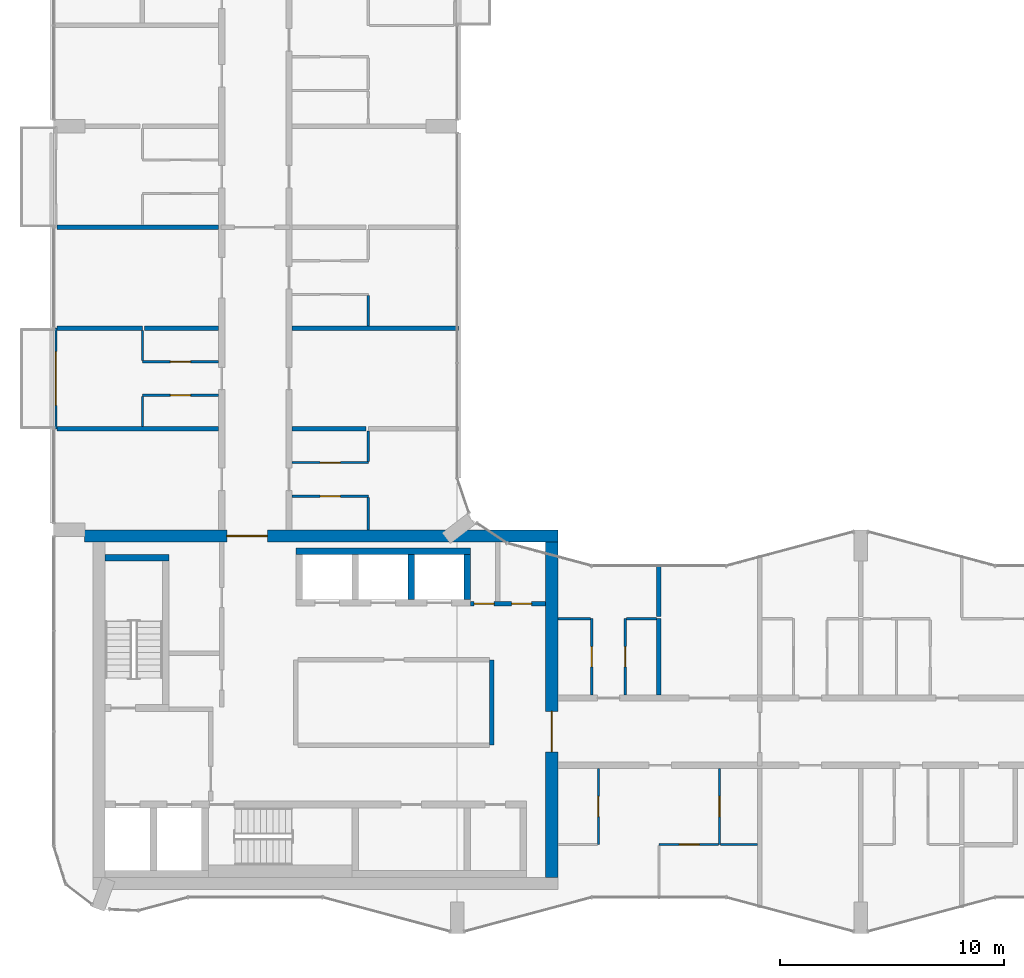
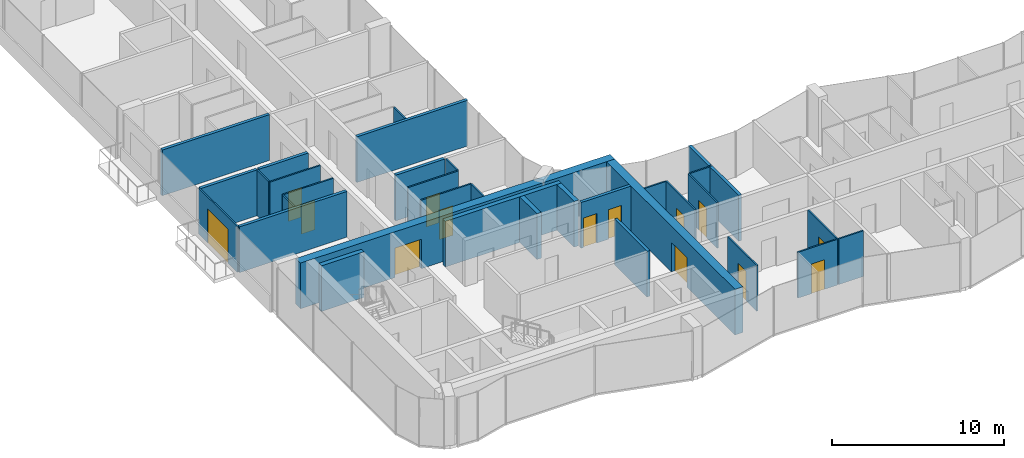
# One storey, part 10 of 16: 34 walls, 14 doors, 14 openings.
"""IFC4 building model written with IfcOpenShell, lengths in metres."""

from ifc_helpers import new_model, si_unit, direction, frame, frame_2d, origin, place, context, subcontext, project, spatial, rectangle, extrude, material, layer, layer_set, type_object, element, fill, save


model = new_model("IFC4")

# Units and contexts
model_context = context("Model", 3, precision=1e-05, world=origin(), true_north=direction((0.0, 1.0)))
body_context = subcontext(model_context, "Body", "Model", "MODEL_VIEW")
ifc_project = project(units=[si_unit("LENGTHUNIT", "METRE"), si_unit("AREAUNIT", "SQUARE_METRE"), si_unit("VOLUMEUNIT", "CUBIC_METRE"), si_unit("PLANEANGLEUNIT", "RADIAN"), si_unit("MASSUNIT", "GRAM", prefix="KILO")], contexts=[model_context])

# Site, building, storey
site_placement = place(None, origin())
site = spatial("IfcSite", under=ifc_project, at=site_placement, CompositionType="ELEMENT")
building_placement = place(site_placement, origin())
building = spatial("IfcBuilding", under=site, at=building_placement, Name="Plateau Cross Towers", CompositionType="ELEMENT")
storey_placement = place(building_placement, frame((0.0, 0.0, 211.89990234375)))
storey = spatial("IfcBuildingStorey", under=building, at=storey_placement, Name="L55", CompositionType="ELEMENT", Elevation=211.89990234375)

# Wall, opening, door
ifc_material_1 = material(Name="Aluminium framed glazing", Category="aluminium")
ifc_layer_1 = layer(ifc_material_1, 0.10009765625)
ifc_layer_set_1 = layer_set([ifc_layer_1], Name="Aluminium framed glazing")
wall_type_1 = type_object("IfcWallType", Name="Balcony screen wall 100", PredefinedType="STANDARD", material=ifc_layer_set_1)
wall_1_placement = place(storey_placement, frame((0.10009765625, 22.5, 0.0), z_axis=(0.0, 0.0, 1.0), x_axis=(0.0, 1.0, 0.0)))
wall_1 = element("IfcWall", 1, at=wall_1_placement, inside=storey, type_object=wall_type_1, Name="Balcony screen wall A-BAL-L55-01", PredefinedType="STANDARD", context=body_context, shape_type="SweptSolid", body=[
    extrude(rectangle(XDim=4.5, YDim=0.10009765625, at=frame_2d((2.25, 0.0))), origin(), (0.0, 0.0, 1.0), 3.25),
])
opening_1_placement = place(wall_1_placement, frame((1.050048828125, 0.0, 0.0)))
opening_1 = element("IfcOpeningElement", 2, at=opening_1_placement, cuts=wall_1, Name="Opening D-B24", PredefinedType="OPENING", context=body_context, shape_type="SweptSolid", body=[
    extrude(rectangle(XDim=2.39990234375, YDim=2.39990234375, at=frame_2d((1.199951171875, 1.199951171875))), frame((0.0, 0.06005859375, 0.0), z_axis=(0.0, -1.0, 0.0), x_axis=(1.0, 0.0, 0.0)), (0.0, 0.0, 1.0), 0.1201171875),
])
ifc_material_2 = material(Name="Aluminium frame, double glazing", Category="aluminium")
door_type_1 = type_object("IfcDoorType", Name="Balcony sliding door 2400", OperationType="NOTDEFINED", PredefinedType="DOOR", material=ifc_material_2)
door_1_placement = place(opening_1_placement, origin())
door_1 = element("IfcDoor", 3, at=door_1_placement, inside=storey, type_object=door_type_1, Name="Balcony door A-BAL-L55-01", OperationType="SINGLE_SWING_LEFT", OverallHeight=2.39990234375, OverallWidth=2.39990234375, PredefinedType="DOOR", context=body_context, shape_type="SweptSolid", body=[
    extrude(rectangle(XDim=2.39990234375, YDim=2.39990234375, at=frame_2d((1.199951171875, 1.199951171875))), frame((0.0, 0.02490234375, 0.0), z_axis=(0.0, -1.0, 0.0), x_axis=(1.0, 0.0, 0.0)), (0.0, 0.0, 1.0), 0.050048828125),
])
fill(opening_1, door_1)

# Wall
ifc_material_3 = material(Name="Concrete block, plastered both sides", Category="concrete")
ifc_layer_2 = layer(ifc_material_3, 0.199951171875)
ifc_layer_set_2 = layer_set([ifc_layer_2], Name="Concrete block, plastered both sides")
wall_type_2 = type_object("IfcWallType", Name="Core partition 200", PredefinedType="PARTITIONING", material=ifc_layer_set_2)
wall_2_placement = place(storey_placement, frame((19.550048828125, 8.39990234375, 0.0), z_axis=(0.0, 0.0, 1.0), x_axis=(0.0, 1.0, 0.0)))
element("IfcWall", 4, at=wall_2_placement, inside=storey, type_object=wall_type_2, Name="Core partition", PredefinedType="PARTITIONING", context=body_context, shape_type="SweptSolid", body=[
    extrude(rectangle(XDim=3.800048828125, YDim=0.199951171875, at=frame_2d((1.89990234375, 0.0))), origin(), (0.0, 0.0, 1.0), 3.25),
])

# Wall, openings, doors
wall_3_placement = place(storey_placement, frame((18.60009765625, 14.699951171875, 0.0), z_axis=(0.0, 0.0, 1.0), x_axis=(1.0, 0.0, 0.0)))
wall_3 = element("IfcWall", 5, at=wall_3_placement, inside=storey, type_object=wall_type_2, Name="Core partition", PredefinedType="PARTITIONING", context=body_context, shape_type="SweptSolid", body=[
    extrude(rectangle(XDim=3.349853515625, YDim=0.199951171875, at=frame_2d((1.6748046875, 0.0))), origin(), (0.0, 0.0, 1.0), 3.25),
])
opening_2_placement = place(wall_3_placement, frame((0.14990234375, 0.0, 0.0)))
opening_2 = element("IfcOpeningElement", 6, at=opening_2_placement, cuts=wall_3, Name="Opening RD2", PredefinedType="OPENING", context=body_context, shape_type="SweptSolid", body=[
    extrude(rectangle(XDim=0.89990234375, YDim=2.10009765625, at=frame_2d((0.449951171875, 1.050048828125))), frame((0.0, 0.10986328125, 0.0), z_axis=(0.0, -1.0, 0.0), x_axis=(1.0, 0.0, 0.0)), (0.0, 0.0, 1.0), 0.219970703125),
])
opening_3_placement = place(wall_3_placement, frame((1.824951171875, 0.0, 0.0)))
opening_3 = element("IfcOpeningElement", 7, at=opening_3_placement, cuts=wall_3, Name="Opening RD2", PredefinedType="OPENING", context=body_context, shape_type="SweptSolid", body=[
    extrude(rectangle(XDim=0.89990234375, YDim=2.10009765625, at=frame_2d((0.449951171875, 1.050048828125))), frame((0.0, 0.10986328125, 0.0), z_axis=(0.0, -1.0, 0.0), x_axis=(1.0, 0.0, 0.0)), (0.0, 0.0, 1.0), 0.219970703125),
])
ifc_material_4 = material(Name="Steel, fire-resisting leaf", Category="steel")
door_type_2 = type_object("IfcDoorType", Name="Core riser door 900", OperationType="NOTDEFINED", PredefinedType="DOOR", material=ifc_material_4)
door_2_placement = place(opening_2_placement, origin())
door_2 = element("IfcDoor", 8, at=door_2_placement, inside=storey, type_object=door_type_2, Name="Core riser door RD2", OperationType="SINGLE_SWING_LEFT", OverallHeight=2.10009765625, OverallWidth=0.89990234375, PredefinedType="DOOR", context=body_context, shape_type="SweptSolid", body=[
    extrude(rectangle(XDim=0.89990234375, YDim=2.10009765625, at=frame_2d((0.449951171875, 1.050048828125))), frame((0.0, 0.02490234375, 0.0), z_axis=(0.0, -1.0, 0.0), x_axis=(1.0, 0.0, 0.0)), (0.0, 0.0, 1.0), 0.050048828125),
])
fill(opening_2, door_2)
door_3_placement = place(opening_3_placement, origin())
door_3 = element("IfcDoor", 9, at=door_3_placement, inside=storey, type_object=door_type_2, Name="Core riser door RD2", OperationType="SINGLE_SWING_LEFT", OverallHeight=2.10009765625, OverallWidth=0.89990234375, PredefinedType="DOOR", context=body_context, shape_type="SweptSolid", body=[
    extrude(rectangle(XDim=0.89990234375, YDim=2.10009765625, at=frame_2d((0.449951171875, 1.050048828125))), frame((0.0, 0.02490234375, 0.0), z_axis=(0.0, -1.0, 0.0), x_axis=(1.0, 0.0, 0.0)), (0.0, 0.0, 1.0), 0.050048828125),
])
fill(opening_3, door_3)

# Walls
ifc_material_5 = material(Name="Concrete C60/75", Category="concrete")
ifc_layer_3 = layer(ifc_material_5, 0.300048828125)
ifc_layer_set_3 = layer_set([ifc_layer_3], Name="Concrete C60/75")
wall_type_3 = type_object("IfcWallType", Name="Core shaft wall 300", PredefinedType="SHEAR", material=ifc_layer_set_3)
wall_4_placement = place(storey_placement, frame((2.300048828125, 16.75, 0.0), z_axis=(0.0, 0.0, 1.0), x_axis=(1.0, 0.0, 0.0)))
element("IfcWall", 10, at=wall_4_placement, inside=storey, type_object=wall_type_3, Name="A-st1-N@L55", PredefinedType="SHEAR", context=body_context, shape_type="SweptSolid", body=[
    extrude(rectangle(XDim=2.849853515625, YDim=0.300048828125, at=frame_2d((1.4248046875, 0.0))), origin(), (0.0, 0.0, 1.0), 3.25),
])
wall_5_placement = place(storey_placement, frame((10.800048828125, 17.050048828125, 0.0), z_axis=(0.0, 0.0, 1.0), x_axis=(1.0, 0.0, 0.0)))
element("IfcWall", 11, at=wall_5_placement, inside=storey, type_object=wall_type_3, Name="A-nb-back@L55", PredefinedType="SHEAR", context=body_context, shape_type="SweptSolid", body=[
    extrude(rectangle(XDim=7.800048828125, YDim=0.300048828125, at=frame_2d((3.89990234375, 0.0))), origin(), (0.0, 0.0, 1.0), 3.25),
])
for number, where, z_axis, x_axis, name in (
    (12, (15.949951171875, 14.89990234375, 0.0), (0.0, 0.0, 1.0), (0.0, 1.0, 0.0), "A-nb-v3@L55"),
    (13, (18.449951171875, 14.89990234375, 0.0), (0.0, 0.0, 1.0), (0.0, 1.0, 0.0), "A-nb-v4@L55"),
):
    element("IfcWall", number, at=place(storey_placement, frame(where, z_axis=z_axis, x_axis=x_axis)), inside=storey, type_object=wall_type_3, Name=name, PredefinedType="SHEAR", context=body_context, shape_type="SweptSolid", body=[
        extrude(rectangle(XDim=2.0, YDim=0.300048828125, at=frame_2d((1.0, 0.0))), origin(), (0.0, 0.0, 1.0), 3.25),
    ])

# Wall, opening, door
ifc_layer_4 = layer(ifc_material_5, 0.550048828125)
ifc_layer_set_4 = layer_set([ifc_layer_4], Name="Concrete C60/75")
wall_type_4 = type_object("IfcWallType", Name="Core shell wall 550", PredefinedType="SHEAR", material=ifc_layer_set_4)
wall_6_placement = place(storey_placement, frame((1.3798828125, 17.72509765625, 0.0), z_axis=(0.0, 0.0, 1.0), x_axis=(1.0, 0.0, 0.0)))
wall_6 = element("IfcWall", 14, at=wall_6_placement, inside=storey, type_object=wall_type_4, Name="A-core-N@L55", PredefinedType="SHEAR", context=body_context, shape_type="SweptSolid", body=[
    extrude(rectangle(XDim=21.1201171875, YDim=0.550048828125, at=frame_2d((10.56005859375, 0.0))), origin(), (0.0, 0.0, 1.0), 3.25),
])
opening_4_placement = place(wall_6_placement, frame((6.35009765625, 0.0, 0.0)))
opening_4 = element("IfcOpeningElement", 15, at=opening_4_placement, cuts=wall_6, Name="Opening CD", PredefinedType="OPENING", context=body_context, shape_type="SweptSolid", body=[
    extrude(rectangle(XDim=1.800048828125, YDim=2.10009765625, at=frame_2d((0.89990234375, 1.050048828125))), frame((0.0, 0.284912109375, 0.0), z_axis=(0.0, -1.0, 0.0), x_axis=(1.0, 0.0, 0.0)), (0.0, 0.0, 1.0), 0.570068359375),
])
ifc_material_6 = material(Name="Steel, fire-resisting leaves", Category="steel")
door_type_3 = type_object("IfcDoorType", Name="Corridor door pair 1800", OperationType="NOTDEFINED", PredefinedType="DOOR", material=ifc_material_6)
door_4_placement = place(opening_4_placement, origin())
door_4 = element("IfcDoor", 16, at=door_4_placement, inside=storey, type_object=door_type_3, Name="Corridor door pair CD", OperationType="DOUBLE_DOOR_SINGLE_SWING", OverallHeight=2.10009765625, OverallWidth=1.800048828125, PredefinedType="DOOR", context=body_context, shape_type="SweptSolid", body=[
    extrude(rectangle(XDim=1.800048828125, YDim=2.10009765625, at=frame_2d((0.89990234375, 1.050048828125))), frame((0.0, 0.02490234375, 0.0), z_axis=(0.0, -1.0, 0.0), x_axis=(1.0, 0.0, 0.0)), (0.0, 0.0, 1.0), 0.050048828125),
])
fill(opening_4, door_4)

wall_7_placement = place(storey_placement, frame((22.22509765625, 2.5, 0.0), z_axis=(0.0, 0.0, 1.0), x_axis=(0.0, 1.0, 0.0)))
wall_7 = element("IfcWall", 17, at=wall_7_placement, inside=storey, type_object=wall_type_4, Name="A-core-E@L55", PredefinedType="SHEAR", context=body_context, shape_type="SweptSolid", body=[
    extrude(rectangle(XDim=14.949951171875, YDim=0.550048828125, at=frame_2d((7.47509765625, 0.0))), origin(), (0.0, 0.0, 1.0), 3.25),
])
opening_5_placement = place(wall_7_placement, frame((5.60009765625, 0.0, 0.0)))
opening_5 = element("IfcOpeningElement", 18, at=opening_5_placement, cuts=wall_7, Name="Opening CD", PredefinedType="OPENING", context=body_context, shape_type="SweptSolid", body=[
    extrude(rectangle(XDim=1.800048828125, YDim=2.10009765625, at=frame_2d((0.89990234375, 1.050048828125))), frame((0.0, 0.284912109375, 0.0), z_axis=(0.0, -1.0, 0.0), x_axis=(1.0, 0.0, 0.0)), (0.0, 0.0, 1.0), 0.570068359375),
])
door_5_placement = place(opening_5_placement, origin())
door_5 = element("IfcDoor", 19, at=door_5_placement, inside=storey, type_object=door_type_3, Name="Corridor door pair CD", OperationType="DOUBLE_DOOR_SINGLE_SWING", OverallHeight=2.10009765625, OverallWidth=1.800048828125, PredefinedType="DOOR", context=body_context, shape_type="SweptSolid", body=[
    extrude(rectangle(XDim=1.800048828125, YDim=2.10009765625, at=frame_2d((0.89990234375, 1.050048828125))), frame((0.0, 0.02490234375, 0.0), z_axis=(0.0, -1.0, 0.0), x_axis=(1.0, 0.0, 0.0)), (0.0, 0.0, 1.0), 0.050048828125),
])
fill(opening_5, door_5)

ifc_material_7 = material(Name="Gypsum board on steel studs", Category="steel")
ifc_layer_5 = layer(ifc_material_7, 0.10009765625)
ifc_layer_set_5 = layer_set([ifc_layer_5], Name="Gypsum board on steel studs")
wall_type_5 = type_object("IfcWallType", Name="Flat partition 100", PredefinedType="PARTITIONING", material=ifc_layer_set_5)
wall_8_placement = place(storey_placement, frame((29.64990234375, 3.96240234375, 0.0), z_axis=(0.0, 0.0, 1.0), x_axis=(-1.0, 0.0, 0.0)))
wall_8 = element("IfcWall", 20, at=wall_8_placement, inside=storey, type_object=wall_type_5, Name="Partition wall", PredefinedType="PARTITIONING", context=body_context, shape_type="SweptSolid", body=[
    extrude(rectangle(XDim=2.64990234375, YDim=0.10009765625, at=frame_2d((1.324951171875, 0.0))), origin(), (0.0, 0.0, 1.0), 3.25),
])
opening_6_placement = place(wall_8_placement, frame((0.85009765625, 0.0, 0.0)))
opening_6 = element("IfcOpeningElement", 21, at=opening_6_placement, cuts=wall_8, Name="Opening 55-28", PredefinedType="OPENING", context=body_context, shape_type="SweptSolid", body=[
    extrude(rectangle(XDim=0.89990234375, YDim=2.10009765625, at=frame_2d((0.449951171875, 1.050048828125))), frame((0.0, 0.06005859375, 0.0), z_axis=(0.0, -1.0, 0.0), x_axis=(1.0, 0.0, 0.0)), (0.0, 0.0, 1.0), 0.1201171875),
])
ifc_material_8 = material(Name="Timber leaf", Category="wood")
door_type_4 = type_object("IfcDoorType", Name="Flat room door 900", OperationType="NOTDEFINED", PredefinedType="DOOR", material=ifc_material_8)
door_6_placement = place(opening_6_placement, origin())
door_6 = element("IfcDoor", 22, at=door_6_placement, inside=storey, type_object=door_type_4, Name="Door 55-28", OperationType="SINGLE_SWING_LEFT", OverallHeight=2.10009765625, OverallWidth=0.89990234375, PredefinedType="DOOR", context=body_context, shape_type="SweptSolid", body=[
    extrude(rectangle(XDim=0.89990234375, YDim=2.10009765625, at=frame_2d((0.449951171875, 1.050048828125))), frame((0.0, 0.02490234375, 0.0), z_axis=(0.0, -1.0, 0.0), x_axis=(1.0, 0.0, 0.0)), (0.0, 0.0, 1.0), 0.050048828125),
])
fill(opening_6, door_6)

# Walls
wall_9_placement = place(storey_placement, frame((29.75, 3.96240234375, 0.0), z_axis=(0.0, 0.0, 1.0), x_axis=(1.0, 0.0, 0.0)))
element("IfcWall", 23, at=wall_9_placement, inside=storey, type_object=wall_type_5, Name="Partition wall", PredefinedType="PARTITIONING", context=body_context, shape_type="SweptSolid", body=[
    extrude(rectangle(XDim=1.64990234375, YDim=0.10009765625, at=frame_2d((0.824951171875, 0.0))), origin(), (0.0, 0.0, 1.0), 3.25),
])
wall_10_placement = place(storey_placement, frame((23.949951171875, 14.03759765625, 0.0), z_axis=(0.0, 0.0, 1.0), x_axis=(-1.0, 0.0, 0.0)))
element("IfcWall", 24, at=wall_10_placement, inside=storey, type_object=wall_type_5, Name="Partition wall", PredefinedType="PARTITIONING", context=body_context, shape_type="SweptSolid", body=[
    extrude(rectangle(XDim=1.449951171875, YDim=0.10009765625, at=frame_2d((0.72509765625, 0.0))), origin(), (0.0, 0.0, 1.0), 3.25),
])
wall_11_placement = place(storey_placement, frame((26.89990234375, 14.03759765625, 0.0), z_axis=(0.0, 0.0, 1.0), x_axis=(-1.0, 0.0, 0.0)))
element("IfcWall", 25, at=wall_11_placement, inside=storey, type_object=wall_type_5, Name="Partition wall", PredefinedType="PARTITIONING", context=body_context, shape_type="SweptSolid", body=[
    extrude(rectangle(XDim=1.349853515625, YDim=0.10009765625, at=frame_2d((0.6748046875, 0.0))), origin(), (0.0, 0.0, 1.0), 3.25),
])

# Wall, opening, door
wall_12_placement = place(storey_placement, frame((14.03759765625, 19.5, 0.0), z_axis=(0.0, 0.0, 1.0), x_axis=(-1.0, 0.0, 0.0)))
wall_12 = element("IfcWall", 26, at=wall_12_placement, inside=storey, type_object=wall_type_5, Name="Partition wall", PredefinedType="PARTITIONING", context=body_context, shape_type="SweptSolid", body=[
    extrude(rectangle(XDim=3.400146484375, YDim=0.10009765625, at=frame_2d((1.7001953125, 0.0))), origin(), (0.0, 0.0, 1.0), 3.25),
])
opening_7_placement = place(wall_12_placement, frame((1.25, 0.0, 0.0)))
opening_7 = element("IfcOpeningElement", 27, at=opening_7_placement, cuts=wall_12, Name="Opening 55-44", PredefinedType="OPENING", context=body_context, shape_type="SweptSolid", body=[
    extrude(rectangle(XDim=0.89990234375, YDim=2.10009765625, at=frame_2d((0.449951171875, 1.050048828125))), frame((0.0, 0.06005859375, 0.0), z_axis=(0.0, -1.0, 0.0), x_axis=(1.0, 0.0, 0.0)), (0.0, 0.0, 1.0), 0.1201171875),
])
door_7_placement = place(opening_7_placement, origin())
door_7 = element("IfcDoor", 28, at=door_7_placement, inside=storey, type_object=door_type_4, Name="Door 55-44", OperationType="SINGLE_SWING_LEFT", OverallHeight=2.10009765625, OverallWidth=0.89990234375, PredefinedType="DOOR", context=body_context, shape_type="SweptSolid", body=[
    extrude(rectangle(XDim=0.89990234375, YDim=2.10009765625, at=frame_2d((0.449951171875, 1.050048828125))), frame((0.0, 0.02490234375, 0.0), z_axis=(0.0, -1.0, 0.0), x_axis=(1.0, 0.0, 0.0)), (0.0, 0.0, 1.0), 0.050048828125),
])
fill(opening_7, door_7)

wall_13_placement = place(storey_placement, frame((10.637451171875, 21.0, 0.0), z_axis=(0.0, 0.0, 1.0), x_axis=(1.0, 0.0, 0.0)))
wall_13 = element("IfcWall", 29, at=wall_13_placement, inside=storey, type_object=wall_type_5, Name="Partition wall", PredefinedType="PARTITIONING", context=body_context, shape_type="SweptSolid", body=[
    extrude(rectangle(XDim=3.400146484375, YDim=0.10009765625, at=frame_2d((1.7001953125, 0.0))), origin(), (0.0, 0.0, 1.0), 3.25),
])
opening_8_placement = place(wall_13_placement, frame((1.25, 0.0, 0.0)))
opening_8 = element("IfcOpeningElement", 30, at=opening_8_placement, cuts=wall_13, Name="Opening 55-45", PredefinedType="OPENING", context=body_context, shape_type="SweptSolid", body=[
    extrude(rectangle(XDim=0.89990234375, YDim=2.10009765625, at=frame_2d((0.449951171875, 1.050048828125))), frame((0.0, 0.06005859375, 0.0), z_axis=(0.0, -1.0, 0.0), x_axis=(1.0, 0.0, 0.0)), (0.0, 0.0, 1.0), 0.1201171875),
])
door_8_placement = place(opening_8_placement, origin())
door_8 = element("IfcDoor", 31, at=door_8_placement, inside=storey, type_object=door_type_4, Name="Door 55-45", OperationType="SINGLE_SWING_LEFT", OverallHeight=2.10009765625, OverallWidth=0.89990234375, PredefinedType="DOOR", context=body_context, shape_type="SweptSolid", body=[
    extrude(rectangle(XDim=0.89990234375, YDim=2.10009765625, at=frame_2d((0.449951171875, 1.050048828125))), frame((0.0, 0.02490234375, 0.0), z_axis=(0.0, -1.0, 0.0), x_axis=(1.0, 0.0, 0.0)), (0.0, 0.0, 1.0), 0.050048828125),
])
fill(opening_8, door_8)

wall_14_placement = place(storey_placement, frame((7.362548828125, 24.0, 0.0), z_axis=(0.0, 0.0, 1.0), x_axis=(-1.0, 0.0, 0.0)))
wall_14 = element("IfcWall", 32, at=wall_14_placement, inside=storey, type_object=wall_type_5, Name="Partition wall", PredefinedType="PARTITIONING", context=body_context, shape_type="SweptSolid", body=[
    extrude(rectangle(XDim=3.400146484375, YDim=0.10009765625, at=frame_2d((1.7001953125, 0.0))), origin(), (0.0, 0.0, 1.0), 3.25),
])
opening_9_placement = place(wall_14_placement, frame((1.25, 0.0, 0.0)))
opening_9 = element("IfcOpeningElement", 33, at=opening_9_placement, cuts=wall_14, Name="Opening 55-40", PredefinedType="OPENING", context=body_context, shape_type="SweptSolid", body=[
    extrude(rectangle(XDim=0.89990234375, YDim=2.10009765625, at=frame_2d((0.449951171875, 1.050048828125))), frame((0.0, 0.06005859375, 0.0), z_axis=(0.0, -1.0, 0.0), x_axis=(1.0, 0.0, 0.0)), (0.0, 0.0, 1.0), 0.1201171875),
])
door_9_placement = place(opening_9_placement, origin())
door_9 = element("IfcDoor", 34, at=door_9_placement, inside=storey, type_object=door_type_4, Name="Door 55-40", OperationType="SINGLE_SWING_LEFT", OverallHeight=2.10009765625, OverallWidth=0.89990234375, PredefinedType="DOOR", context=body_context, shape_type="SweptSolid", body=[
    extrude(rectangle(XDim=0.89990234375, YDim=2.10009765625, at=frame_2d((0.449951171875, 1.050048828125))), frame((0.0, 0.02490234375, 0.0), z_axis=(0.0, -1.0, 0.0), x_axis=(1.0, 0.0, 0.0)), (0.0, 0.0, 1.0), 0.050048828125),
])
fill(opening_9, door_9)

wall_15_placement = place(storey_placement, frame((3.96240234375, 25.5, 0.0), z_axis=(0.0, 0.0, 1.0), x_axis=(1.0, 0.0, 0.0)))
wall_15 = element("IfcWall", 35, at=wall_15_placement, inside=storey, type_object=wall_type_5, Name="Partition wall", PredefinedType="PARTITIONING", context=body_context, shape_type="SweptSolid", body=[
    extrude(rectangle(XDim=3.400146484375, YDim=0.10009765625, at=frame_2d((1.7001953125, 0.0))), origin(), (0.0, 0.0, 1.0), 3.25),
])
opening_10_placement = place(wall_15_placement, frame((1.25, 0.0, 0.0)))
opening_10 = element("IfcOpeningElement", 36, at=opening_10_placement, cuts=wall_15, Name="Opening 55-41", PredefinedType="OPENING", context=body_context, shape_type="SweptSolid", body=[
    extrude(rectangle(XDim=0.89990234375, YDim=2.10009765625, at=frame_2d((0.449951171875, 1.050048828125))), frame((0.0, 0.06005859375, 0.0), z_axis=(0.0, -1.0, 0.0), x_axis=(1.0, 0.0, 0.0)), (0.0, 0.0, 1.0), 0.1201171875),
])
door_10_placement = place(opening_10_placement, origin())
door_10 = element("IfcDoor", 37, at=door_10_placement, inside=storey, type_object=door_type_4, Name="Door 55-41", OperationType="SINGLE_SWING_LEFT", OverallHeight=2.10009765625, OverallWidth=0.89990234375, PredefinedType="DOOR", context=body_context, shape_type="SweptSolid", body=[
    extrude(rectangle(XDim=0.89990234375, YDim=2.10009765625, at=frame_2d((0.449951171875, 1.050048828125))), frame((0.0, 0.02490234375, 0.0), z_axis=(0.0, -1.0, 0.0), x_axis=(1.0, 0.0, 0.0)), (0.0, 0.0, 1.0), 0.050048828125),
])
fill(opening_10, door_10)

# Walls
for number, where, z_axis, x_axis, name in (
    (38, (3.96240234375, 23.949951171875, 0.0), (0.0, 0.0, 1.0), (0.0, -1.0, 0.0), "Partition wall"),
    (39, (3.96240234375, 26.89990234375, 0.0), (0.0, 0.0, 1.0), (0.0, -1.0, 0.0), "Partition wall"),
):
    element("IfcWall", number, at=place(storey_placement, frame(where, z_axis=z_axis, x_axis=x_axis)), inside=storey, type_object=wall_type_5, Name=name, PredefinedType="PARTITIONING", context=body_context, shape_type="SweptSolid", body=[
        extrude(rectangle(XDim=1.349853515625, YDim=0.10009765625, at=frame_2d((0.6748046875, 0.0))), origin(), (0.0, 0.0, 1.0), 3.25),
    ])
wall_16_placement = place(storey_placement, frame((14.03759765625, 18.0, 0.0), z_axis=(0.0, 0.0, 1.0), x_axis=(0.0, 1.0, 0.0)))
element("IfcWall", 40, at=wall_16_placement, inside=storey, type_object=wall_type_5, Name="Partition wall", PredefinedType="PARTITIONING", context=body_context, shape_type="SweptSolid", body=[
    extrude(rectangle(XDim=1.449951171875, YDim=0.10009765625, at=frame_2d((0.72509765625, 0.0))), origin(), (0.0, 0.0, 1.0), 3.25),
])
for number, where, z_axis, x_axis, name in (
    (41, (14.03759765625, 21.050048828125, 0.0), (0.0, 0.0, 1.0), (0.0, 1.0, 0.0), "Partition wall"),
    (42, (14.03759765625, 27.10009765625, 0.0), (0.0, 0.0, 1.0), (0.0, 1.0, 0.0), "Partition wall"),
):
    element("IfcWall", number, at=place(storey_placement, frame(where, z_axis=z_axis, x_axis=x_axis)), inside=storey, type_object=wall_type_5, Name=name, PredefinedType="PARTITIONING", context=body_context, shape_type="SweptSolid", body=[
        extrude(rectangle(XDim=1.349853515625, YDim=0.10009765625, at=frame_2d((0.6748046875, 0.0))), origin(), (0.0, 0.0, 1.0), 3.25),
    ])

# Wall, opening, door
wall_17_placement = place(storey_placement, frame((24.0, 10.637451171875, 0.0), z_axis=(0.0, 0.0, 1.0), x_axis=(0.0, 1.0, 0.0)))
wall_17 = element("IfcWall", 43, at=wall_17_placement, inside=storey, type_object=wall_type_5, Name="Partition wall", PredefinedType="PARTITIONING", context=body_context, shape_type="SweptSolid", body=[
    extrude(rectangle(XDim=3.400146484375, YDim=0.10009765625, at=frame_2d((1.7001953125, 0.0))), origin(), (0.0, 0.0, 1.0), 3.25),
])
opening_11_placement = place(wall_17_placement, frame((1.25, 0.0, 0.0)))
opening_11 = element("IfcOpeningElement", 44, at=opening_11_placement, cuts=wall_17, Name="Opening 55-31", PredefinedType="OPENING", context=body_context, shape_type="SweptSolid", body=[
    extrude(rectangle(XDim=0.89990234375, YDim=2.10009765625, at=frame_2d((0.449951171875, 1.050048828125))), frame((0.0, 0.06005859375, 0.0), z_axis=(0.0, -1.0, 0.0), x_axis=(1.0, 0.0, 0.0)), (0.0, 0.0, 1.0), 0.1201171875),
])
door_11_placement = place(opening_11_placement, origin())
door_11 = element("IfcDoor", 45, at=door_11_placement, inside=storey, type_object=door_type_4, Name="Door 55-31", OperationType="SINGLE_SWING_LEFT", OverallHeight=2.10009765625, OverallWidth=0.89990234375, PredefinedType="DOOR", context=body_context, shape_type="SweptSolid", body=[
    extrude(rectangle(XDim=0.89990234375, YDim=2.10009765625, at=frame_2d((0.449951171875, 1.050048828125))), frame((0.0, 0.02490234375, 0.0), z_axis=(0.0, -1.0, 0.0), x_axis=(1.0, 0.0, 0.0)), (0.0, 0.0, 1.0), 0.050048828125),
])
fill(opening_11, door_11)

wall_18_placement = place(storey_placement, frame((24.300048828125, 3.96240234375, 0.0), z_axis=(0.0, 0.0, 1.0), x_axis=(0.0, 1.0, 0.0)))
wall_18 = element("IfcWall", 46, at=wall_18_placement, inside=storey, type_object=wall_type_5, Name="Partition wall", PredefinedType="PARTITIONING", context=body_context, shape_type="SweptSolid", body=[
    extrude(rectangle(XDim=3.400146484375, YDim=0.10009765625, at=frame_2d((1.7001953125, 0.0))), origin(), (0.0, 0.0, 1.0), 3.25),
])
opening_12_placement = place(wall_18_placement, frame((1.25, 0.0, 0.0)))
opening_12 = element("IfcOpeningElement", 47, at=opening_12_placement, cuts=wall_18, Name="Opening 55-26", PredefinedType="OPENING", context=body_context, shape_type="SweptSolid", body=[
    extrude(rectangle(XDim=0.89990234375, YDim=2.10009765625, at=frame_2d((0.449951171875, 1.050048828125))), frame((0.0, 0.06005859375, 0.0), z_axis=(0.0, -1.0, 0.0), x_axis=(1.0, 0.0, 0.0)), (0.0, 0.0, 1.0), 0.1201171875),
])
door_12_placement = place(opening_12_placement, origin())
door_12 = element("IfcDoor", 48, at=door_12_placement, inside=storey, type_object=door_type_4, Name="Door 55-26", OperationType="SINGLE_SWING_LEFT", OverallHeight=2.10009765625, OverallWidth=0.89990234375, PredefinedType="DOOR", context=body_context, shape_type="SweptSolid", body=[
    extrude(rectangle(XDim=0.89990234375, YDim=2.10009765625, at=frame_2d((0.449951171875, 1.050048828125))), frame((0.0, 0.02490234375, 0.0), z_axis=(0.0, -1.0, 0.0), x_axis=(1.0, 0.0, 0.0)), (0.0, 0.0, 1.0), 0.050048828125),
])
fill(opening_12, door_12)

wall_19_placement = place(storey_placement, frame((25.5, 14.03759765625, 0.0), z_axis=(0.0, 0.0, 1.0), x_axis=(0.0, -1.0, 0.0)))
wall_19 = element("IfcWall", 49, at=wall_19_placement, inside=storey, type_object=wall_type_5, Name="Partition wall", PredefinedType="PARTITIONING", context=body_context, shape_type="SweptSolid", body=[
    extrude(rectangle(XDim=3.400146484375, YDim=0.10009765625, at=frame_2d((1.7001953125, 0.0))), origin(), (0.0, 0.0, 1.0), 3.25),
])
opening_13_placement = place(wall_19_placement, frame((1.25, 0.0, 0.0)))
opening_13 = element("IfcOpeningElement", 50, at=opening_13_placement, cuts=wall_19, Name="Opening 55-32", PredefinedType="OPENING", context=body_context, shape_type="SweptSolid", body=[
    extrude(rectangle(XDim=0.89990234375, YDim=2.10009765625, at=frame_2d((0.449951171875, 1.050048828125))), frame((0.0, 0.06005859375, 0.0), z_axis=(0.0, -1.0, 0.0), x_axis=(1.0, 0.0, 0.0)), (0.0, 0.0, 1.0), 0.1201171875),
])
door_13_placement = place(opening_13_placement, origin())
door_13 = element("IfcDoor", 51, at=door_13_placement, inside=storey, type_object=door_type_4, Name="Door 55-32", OperationType="SINGLE_SWING_LEFT", OverallHeight=2.10009765625, OverallWidth=0.89990234375, PredefinedType="DOOR", context=body_context, shape_type="SweptSolid", body=[
    extrude(rectangle(XDim=0.89990234375, YDim=2.10009765625, at=frame_2d((0.449951171875, 1.050048828125))), frame((0.0, 0.02490234375, 0.0), z_axis=(0.0, -1.0, 0.0), x_axis=(1.0, 0.0, 0.0)), (0.0, 0.0, 1.0), 0.050048828125),
])
fill(opening_13, door_13)

wall_20_placement = place(storey_placement, frame((29.699951171875, 7.362548828125, 0.0), z_axis=(0.0, 0.0, 1.0), x_axis=(0.0, -1.0, 0.0)))
wall_20 = element("IfcWall", 52, at=wall_20_placement, inside=storey, type_object=wall_type_5, Name="Partition wall", PredefinedType="PARTITIONING", context=body_context, shape_type="SweptSolid", body=[
    extrude(rectangle(XDim=3.400146484375, YDim=0.10009765625, at=frame_2d((1.7001953125, 0.0))), origin(), (0.0, 0.0, 1.0), 3.25),
])
opening_14_placement = place(wall_20_placement, frame((1.25, 0.0, 0.0)))
opening_14 = element("IfcOpeningElement", 53, at=opening_14_placement, cuts=wall_20, Name="Opening 55-27", PredefinedType="OPENING", context=body_context, shape_type="SweptSolid", body=[
    extrude(rectangle(XDim=0.89990234375, YDim=2.10009765625, at=frame_2d((0.449951171875, 1.050048828125))), frame((0.0, 0.06005859375, 0.0), z_axis=(0.0, -1.0, 0.0), x_axis=(1.0, 0.0, 0.0)), (0.0, 0.0, 1.0), 0.1201171875),
])
door_14_placement = place(opening_14_placement, origin())
door_14 = element("IfcDoor", 54, at=door_14_placement, inside=storey, type_object=door_type_4, Name="Door 55-27", OperationType="SINGLE_SWING_LEFT", OverallHeight=2.10009765625, OverallWidth=0.89990234375, PredefinedType="DOOR", context=body_context, shape_type="SweptSolid", body=[
    extrude(rectangle(XDim=0.89990234375, YDim=2.10009765625, at=frame_2d((0.449951171875, 1.050048828125))), frame((0.0, 0.02490234375, 0.0), z_axis=(0.0, -1.0, 0.0), x_axis=(1.0, 0.0, 0.0)), (0.0, 0.0, 1.0), 0.050048828125),
])
fill(opening_14, door_14)

# Walls
ifc_material_9 = material(Name="Gypsum board on steel studs, two layers each side", Category="steel")
ifc_layer_6 = layer(ifc_material_9, 0.199951171875)
ifc_layer_set_6 = layer_set([ifc_layer_6], Name="Gypsum board on steel studs, two layers each side")
wall_type_6 = type_object("IfcWallType", Name="Flat party wall 200", PredefinedType="PARTITIONING", material=ifc_layer_set_6)
wall_21_placement = place(storey_placement, frame((7.362548828125, 22.5, 0.0), z_axis=(0.0, 0.0, 1.0), x_axis=(-1.0, 0.0, 0.0)))
element("IfcWall", 55, at=wall_21_placement, inside=storey, type_object=wall_type_6, Name="Party wall", PredefinedType="PARTITIONING", context=body_context, shape_type="SweptSolid", body=[
    extrude(rectangle(XDim=7.212646484375, YDim=0.199951171875, at=frame_2d((3.6064453125, 0.0))), origin(), (0.0, 0.0, 1.0), 3.25),
])
for number, where, z_axis, x_axis, name in (
    (56, (13.9375, 22.5, 0.0), (0.0, 0.0, 1.0), (-1.0, 0.0, 0.0), "Party wall"),
    (57, (7.362548828125, 27.0, 0.0), (0.0, 0.0, 1.0), (-1.0, 0.0, 0.0), "Party wall"),
):
    element("IfcWall", number, at=place(storey_placement, frame(where, z_axis=z_axis, x_axis=x_axis)), inside=storey, type_object=wall_type_6, Name=name, PredefinedType="PARTITIONING", context=body_context, shape_type="SweptSolid", body=[
        extrude(rectangle(XDim=3.300048828125, YDim=0.199951171875, at=frame_2d((1.64990234375, 0.0))), origin(), (0.0, 0.0, 1.0), 3.25),
    ])
wall_22_placement = place(storey_placement, frame((18.080078125, 27.0, 0.0), z_axis=(0.0, 0.0, 1.0), x_axis=(-1.0, 0.0, 0.0)))
element("IfcWall", 58, at=wall_22_placement, inside=storey, type_object=wall_type_6, Name="Party wall", PredefinedType="PARTITIONING", context=body_context, shape_type="SweptSolid", body=[
    extrude(rectangle(XDim=7.442626953125, YDim=0.199951171875, at=frame_2d((3.72119140625, 0.0))), origin(), (0.0, 0.0, 1.0), 3.25),
])
wall_23_placement = place(storey_placement, frame((0.14990234375, 27.0, 0.0), z_axis=(0.0, 0.0, 1.0), x_axis=(1.0, 0.0, 0.0)))
element("IfcWall", 59, at=wall_23_placement, inside=storey, type_object=wall_type_6, Name="Party wall", PredefinedType="PARTITIONING", context=body_context, shape_type="SweptSolid", body=[
    extrude(rectangle(XDim=3.8125, YDim=0.199951171875, at=frame_2d((1.90625, 0.0))), origin(), (0.0, 0.0, 1.0), 3.25),
])
wall_24_placement = place(storey_placement, frame((7.362548828125, 31.5, 0.0), z_axis=(0.0, 0.0, 1.0), x_axis=(-1.0, 0.0, 0.0)))
element("IfcWall", 60, at=wall_24_placement, inside=storey, type_object=wall_type_6, Name="Party wall", PredefinedType="PARTITIONING", context=body_context, shape_type="SweptSolid", body=[
    extrude(rectangle(XDim=7.212646484375, YDim=0.199951171875, at=frame_2d((3.6064453125, 0.0))), origin(), (0.0, 0.0, 1.0), 3.25),
])
wall_25_placement = place(storey_placement, frame((27.0, 16.47314453125, 0.0), z_axis=(0.0, 0.0, 1.0), x_axis=(0.0, -1.0, 0.0)))
element("IfcWall", 61, at=wall_25_placement, inside=storey, type_object=wall_type_6, Name="Party wall", PredefinedType="PARTITIONING", context=body_context, shape_type="SweptSolid", body=[
    extrude(rectangle(XDim=2.335693359375, YDim=0.199951171875, at=frame_2d((1.16796875, 0.0))), origin(), (0.0, 0.0, 1.0), 3.25),
])
wall_26_placement = place(storey_placement, frame((27.0, 10.637451171875, 0.0), z_axis=(0.0, 0.0, 1.0), x_axis=(0.0, 1.0, 0.0)))
element("IfcWall", 62, at=wall_26_placement, inside=storey, type_object=wall_type_6, Name="Party wall", PredefinedType="PARTITIONING", context=body_context, shape_type="SweptSolid", body=[
    extrude(rectangle(XDim=3.400146484375, YDim=0.199951171875, at=frame_2d((1.7001953125, 0.0))), origin(), (0.0, 0.0, 1.0), 3.25),
])

save(model, "model.ifc")
